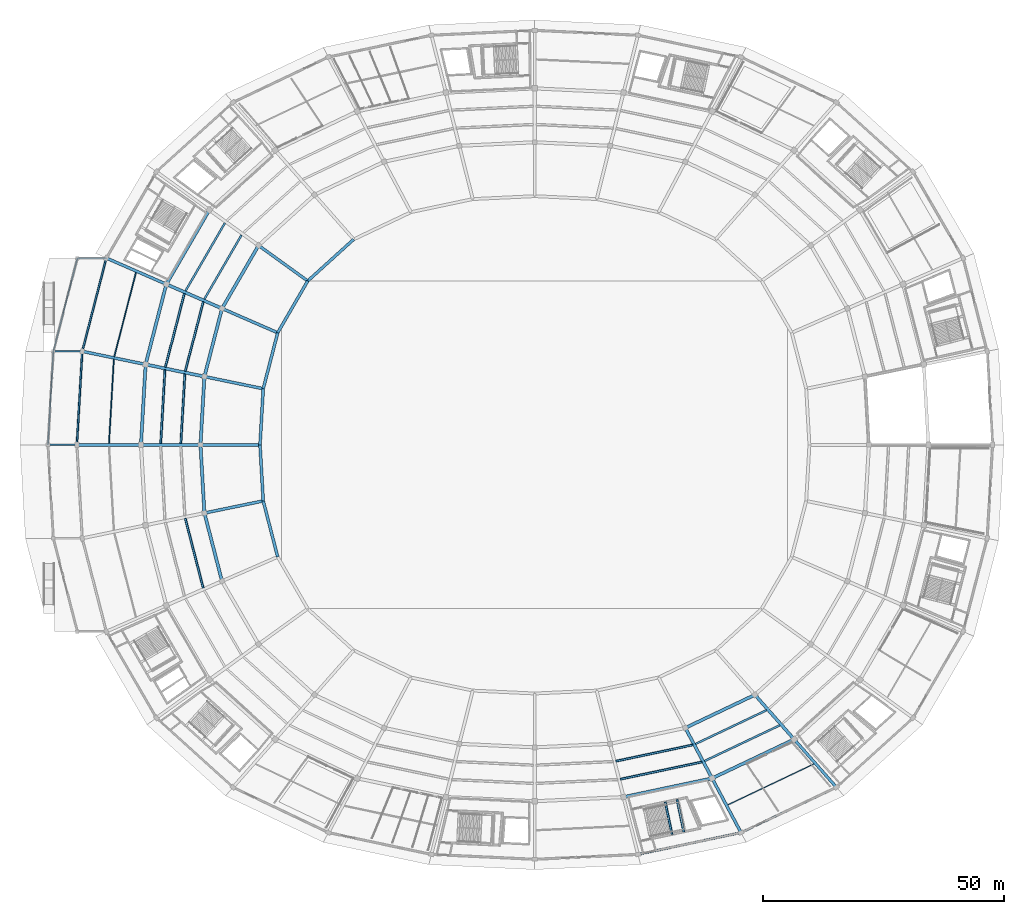
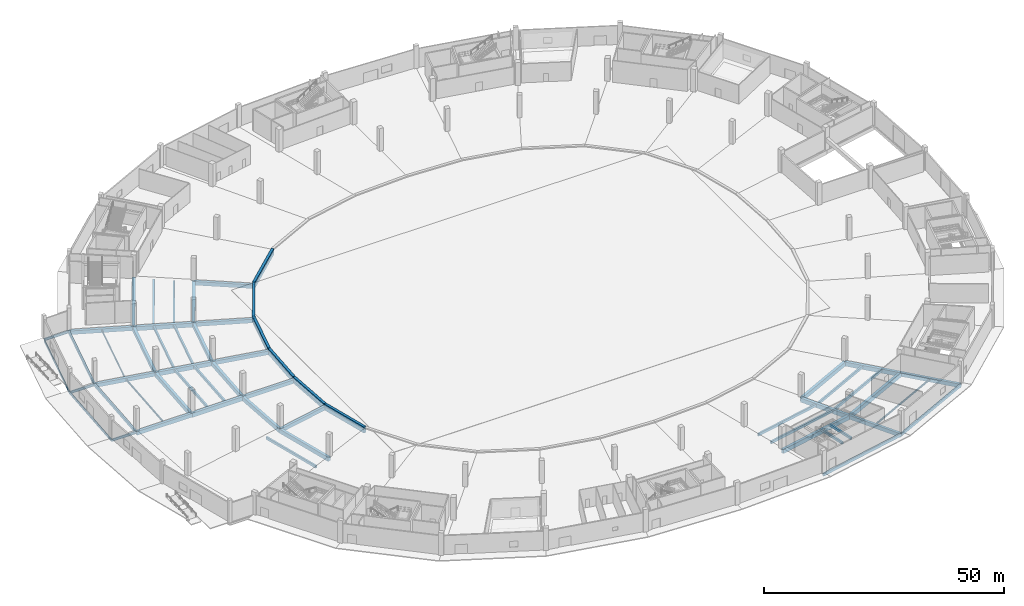
# One storey, part 3 of 48: 63 beams.
"""IFC4 building model written with IfcOpenShell, lengths in metres."""

import ifcopenshell
import ifcopenshell.guid

model = None  # the IFC model being written
_history = None  # IfcOwnerHistory: only IFC2X3 demands one
_inside = {}  # id of a spatial element -> (the spatial element, [elements in it])
_under = {}  # id of a project, library or spatial element -> (it, [spatial elements below it])
_declared = {}  # id of a project -> (the project, [libraries it declares])
_typed = {}  # id of a type object -> (the type object, [elements of that type])
_made_of = {}  # id of a material, layer set ... -> (it, [elements and type objects made of it])


def new_model(schema):
    """Start an empty IFC model of exactly this schema.

    Asked for "IFC4X3", IfcOpenShell would pick the latest addendum, in which some entities
    have other attributes; the version numbers below select the first issue.
    IFC2X3 requires an IfcOwnerHistory on every rooted entity: one is made here for all.
    """
    global model, _history
    if schema == "IFC4X3":
        model = ifcopenshell.file(schema_version=(4, 3, 0, 0))
    else:
        model = ifcopenshell.file(schema=schema)
    _inside.clear()
    _under.clear()
    _declared.clear()
    _typed.clear()
    _made_of.clear()
    _history = None
    if model.schema == "IFC2X3":
        org = make("IfcOrganization", Name="unknown")
        user = make(
            "IfcPersonAndOrganization",
            ThePerson=make("IfcPerson", FamilyName="unknown"),
            TheOrganization=org,
        )
        app = make(
            "IfcApplication",
            ApplicationDeveloper=org,
            Version="unknown",
            ApplicationFullName="unknown",
            ApplicationIdentifier="unknown",
        )
        _history = make(
            "IfcOwnerHistory",
            OwningUser=user,
            OwningApplication=app,
            ChangeAction="ADDED",
            CreationDate=0,
        )
    return model


def make(cls, **values):
    """One entity of the class cls with the attributes given. An attribute that is None is left unset."""
    return model.create_entity(
        cls, **{name: value for name, value in values.items() if value is not None}
    )


def rooted(cls, **values):
    """An entity with a GlobalId (a new one), such as an element, a storey or a relation."""
    return make(cls, GlobalId=ifcopenshell.guid.new(), OwnerHistory=_history, **values)


def si_unit(unit_type, name, prefix=None):
    """IfcSIUnit, for example si_unit("LENGTHUNIT", "METRE", prefix="MILLI")."""
    return make("IfcSIUnit", UnitType=unit_type, Prefix=prefix, Name=name)


def assignment(units):
    """IfcUnitAssignment: the units of a project."""
    return None if units is None else make("IfcUnitAssignment", Units=units)


def point(xyz):
    """IfcCartesianPoint."""
    return None if xyz is None else make("IfcCartesianPoint", Coordinates=xyz)


def direction(xyz):
    """IfcDirection."""
    return None if xyz is None else make("IfcDirection", DirectionRatios=xyz)


def frame(location, z_axis=None, x_axis=None):
    """IfcAxis2Placement3D, a coordinate frame: its origin and axes. An axis left out is left unset."""
    return make(
        "IfcAxis2Placement3D",
        Location=point(location),
        Axis=direction(z_axis),
        RefDirection=direction(x_axis),
    )


def frame_2d(location, x_axis=None):
    """IfcAxis2Placement2D, a coordinate frame in the plane: its origin and x axis."""
    return make(
        "IfcAxis2Placement2D", Location=point(location), RefDirection=direction(x_axis)
    )


def origin():
    """The frame at (0, 0, 0) with its axes left unset."""
    return frame((0.0, 0.0, 0.0))


def origin_2d():
    """The frame at (0, 0) in the plane with its x axis left unset."""
    return frame_2d((0.0, 0.0))


def place(relative_to, where):
    """IfcLocalPlacement: puts the frame where relative to a parent placement (None: the world)."""
    return make(
        "IfcLocalPlacement", PlacementRelTo=relative_to, RelativePlacement=where
    )


def context(
    kind, dimensions, precision=None, world=None, true_north=None, identifier=None
):
    """IfcGeometricRepresentationContext, for example the 3D "Model" context."""
    return make(
        "IfcGeometricRepresentationContext",
        ContextIdentifier=identifier,
        ContextType=kind,
        CoordinateSpaceDimension=dimensions,
        Precision=precision,
        WorldCoordinateSystem=world,
        TrueNorth=true_north,
    )


def subcontext(parent, identifier, kind, view, scale=None):
    """IfcGeometricRepresentationSubContext, for example "Body" below "Model"."""
    return make(
        "IfcGeometricRepresentationSubContext",
        ContextIdentifier=identifier,
        ContextType=kind,
        ParentContext=parent,
        TargetScale=scale,
        TargetView=view,
    )


def project(units=None, contexts=None):
    """IfcProject with its units and contexts."""
    return rooted(
        "IfcProject",
        Name="project",
        RepresentationContexts=contexts,
        UnitsInContext=assignment(units),
    )


def spatial(cls, under=None, at=None, **own):
    """A site, building, storey or space (cls), placed at a placement, below another one or the project."""
    s = rooted(cls, ObjectPlacement=at, **own)
    if under is not None:
        _under.setdefault(under.id(), (under, []))[1].append(s)
    return s


def profile(cls, at=None, kind="AREA", **sizes):
    """A parametric profile (cls). Its sizes go by their IFC names, for example OverallWidth=200.0."""
    return make(cls, ProfileType=kind, Position=at, **sizes)


def rectangle(**sizes):
    """IfcRectangleProfileDef."""
    return profile("IfcRectangleProfileDef", **sizes)


def i_section(**sizes):
    """IfcIShapeProfileDef."""
    return profile("IfcIShapeProfileDef", **sizes)


def extrude(swept, where, along, depth):
    """IfcExtrudedAreaSolid: the profile swept, set in the frame where, extruded along a direction by depth."""
    return make(
        "IfcExtrudedAreaSolid",
        SweptArea=swept,
        Position=where,
        ExtrudedDirection=direction(along),
        Depth=depth,
    )


def shape(context_of_items, identifier, shape_type, items):
    """IfcShapeRepresentation: the items that make up one representation, for example the "Body"."""
    return make(
        "IfcShapeRepresentation",
        ContextOfItems=context_of_items,
        RepresentationIdentifier=identifier,
        RepresentationType=shape_type,
        Items=items,
    )


def material(Name=None, Category=None):
    """IfcMaterial."""
    return make("IfcMaterial", Name=Name, Category=Category)


def material_profile(
    of_material, cross_section, Name=None, Category=None, Priority=None
):
    """IfcMaterialProfile: a cross section and its material."""
    return make(
        "IfcMaterialProfile",
        Name=Name,
        Material=of_material,
        Profile=cross_section,
        Priority=Priority,
        Category=Category,
    )


def profile_set(profiles, Name=None, composite=None):
    """IfcMaterialProfileSet."""
    return make(
        "IfcMaterialProfileSet",
        Name=Name,
        MaterialProfiles=profiles,
        CompositeProfile=composite,
    )


def made_of(thing, what):
    """Note that an element or type object is made of a material, layer set ...; save() writes the relation."""
    if what is not None:
        _made_of.setdefault(what.id(), (what, []))[1].append(thing)
    return thing


def type_object(cls, material=None, **own):
    """A type object (cls), such as IfcWallType, which elements share."""
    return made_of(rooted(cls, **own), material)


def element(
    cls,
    number,
    at=None,
    inside=None,
    cuts=None,
    type_object=None,
    material=None,
    context=None,
    identifier="Body",
    shape_type=None,
    held_by="IfcProductDefinitionShape",
    body=None,
    shapes=None,
    **own,
):
    """One element of the class cls, such as IfcWall. Its Tag is "e" and its number.

    at: its placement. inside: the storey or other place that contains it. cuts: it is an
    opening in that element (IfcRelVoidsElement). A single representation is given by context,
    identifier, shape_type and body (its items); several are given by shapes. held_by: the class
    of the entity that holds the representations. save() writes the other relations.
    """
    e = rooted(cls, Tag="e%d" % number, ObjectPlacement=at, **own)
    if body is not None:
        shapes = [shape(context, identifier, shape_type, body)]
    if shapes is not None:
        e.Representation = make(held_by, Representations=shapes)
    if inside is not None:
        _inside.setdefault(inside.id(), (inside, []))[1].append(e)
    if cuts is not None:
        rooted(
            "IfcRelVoidsElement", RelatingBuildingElement=cuts, RelatedOpeningElement=e
        )
    if type_object is not None:
        _typed.setdefault(type_object.id(), (type_object, []))[1].append(e)
    return made_of(e, material)


def aggregate(whole, parts):
    """IfcRelAggregates: a whole, such as a stair, and the parts it consists of."""
    return rooted("IfcRelAggregates", RelatingObject=whole, RelatedObjects=parts)


def save(model, path):
    """Write the relations noted so far, then the file.

    IfcRelAggregates (storeys below a building ...), IfcRelContainedInSpatialStructure (elements
    in a storey), IfcRelDefinesByType, IfcRelAssociatesMaterial and IfcRelDeclares: one each for
    every whole, place, type object, material and project.
    """
    for whole, parts in _under.values():
        aggregate(whole, parts)
    for where, things in _inside.values():
        rooted(
            "IfcRelContainedInSpatialStructure",
            RelatedElements=things,
            RelatingStructure=where,
        )
    for kind, things in _typed.values():
        rooted("IfcRelDefinesByType", RelatedObjects=things, RelatingType=kind)
    for what, things in _made_of.values():
        rooted("IfcRelAssociatesMaterial", RelatedObjects=things, RelatingMaterial=what)
    for by, libraries in _declared.values():
        rooted("IfcRelDeclares", RelatingContext=by, RelatedDefinitions=libraries)
    model.write(path)


model = new_model("IFC4")

# Units and contexts
model_context = context("Model", 3, precision=1e-05, world=origin(), true_north=direction((0.0, 1.0)))
body_context = subcontext(model_context, "Body", "Model", "MODEL_VIEW")
ifc_project = project(units=[si_unit("LENGTHUNIT", "METRE"), si_unit("AREAUNIT", "SQUARE_METRE"), si_unit("VOLUMEUNIT", "CUBIC_METRE"), si_unit("PLANEANGLEUNIT", "RADIAN"), si_unit("MASSUNIT", "GRAM", prefix="KILO")], contexts=[model_context])

# Site, building, storey
site_placement = place(None, origin())
site = spatial("IfcSite", under=ifc_project, at=site_placement, CompositionType="ELEMENT")
building_placement = place(site_placement, origin())
building = spatial("IfcBuilding", under=site, at=building_placement, Name="Kazemori Nagisa Stadium", CompositionType="ELEMENT")
storey_placement = place(building_placement, origin())
storey = spatial("IfcBuildingStorey", under=building, at=storey_placement, Name="L00", CompositionType="ELEMENT", Elevation=0.0)

# Beams
ifc_material_1 = material(Name="Steel SN490B", Category="steel")
ifc_material_profile_1 = material_profile(ifc_material_1, i_section(OverallWidth=0.300048828125, OverallDepth=0.587890625, WebThickness=0.011962890625, FlangeThickness=0.02001953125, FilletRadius=0.012939453125, at=origin_2d()), Name="H-588x300x12x20")
ifc_profile_set_1 = profile_set([ifc_material_profile_1], Name="Steel SN490B")
beam_type_1 = type_object("IfcBeamType", Name="Beam_BG-H588", PredefinedType="BEAM", material=ifc_profile_set_1)
for number, where, z_axis, x_axis, name in (
    (1, (34.114990234375, 140.74951171875, -0.593994140625), (-1.0, 0.0, 0.0), (0.0, -1.0, 0.0), "Boulevard radial girder BG-H588 L00 R4-13"),
    (2, (29.119140625, 121.397705078125, -0.593994140625), (-1.0, 0.0, 0.0), (0.0, -1.0, 0.0), "Boulevard radial girder BG-H588 L00 R4-14"),
    (3, (28.0, 102.0, -0.593994140625), (-1.0, 0.0, 0.0), (0.0, -1.0, 0.0), "Boulevard radial girder BG-H588 L00 R4-15"),
):
    element("IfcBeam", number, at=place(storey_placement, frame(where, z_axis=z_axis, x_axis=x_axis)), inside=storey, type_object=beam_type_1, Name=name, PredefinedType="BEAM", context=body_context, shape_type="SweptSolid", body=[
        extrude(i_section(OverallWidth=0.300048828125, OverallDepth=0.587890625, WebThickness=0.011962890625, FlangeThickness=0.02001953125, FilletRadius=0.012939453125, at=origin_2d()), origin(), (0.0, 0.0, 1.0), 6.0),
    ])
ifc_material_2 = material(Name="Concrete C40/50 (Fc42)", Category="concrete")
ifc_material_profile_2 = material_profile(ifc_material_2, rectangle(XDim=0.39990234375, YDim=0.60009765625, at=origin_2d()), Name="RC-BM-400x600")
ifc_profile_set_2 = profile_set([ifc_material_profile_2], Name="Concrete C40/50 (Fc42)")
beam_type_2 = type_object("IfcBeamType", Name="Beam_BG-LND400X600", PredefinedType="BEAM", material=ifc_profile_set_2)
beam_1_placement = place(storey_placement, frame((150.084716796875, 27.878173828125, 2.389892578125), z_axis=(0.20695595975, -0.978350259735, 0.0), x_axis=(0.978350259735, 0.20695595975, 0.0)))
element("IfcBeam", 4, at=beam_1_placement, inside=storey, type_object=beam_type_2, Name="Core stair mid-landing girder ST06-L00-1", PredefinedType="BEAM", context=body_context, shape_type="SweptSolid", body=[
    extrude(rectangle(XDim=0.39990234375, YDim=0.60009765625, at=origin_2d()), origin(), (0.0, 0.0, 1.0), 6.83154296875),
])
beam_2_placement = place(storey_placement, frame((152.530517578125, 28.3955078125, 2.389892578125), z_axis=(0.206963195966, -0.97834872899, 0.0), x_axis=(0.97834872899, 0.206963195966, 0.0)))
element("IfcBeam", 5, at=beam_2_placement, inside=storey, type_object=beam_type_2, Name="Core stair mid-landing girder ST06-L00-2", PredefinedType="BEAM", context=body_context, shape_type="SweptSolid", body=[
    extrude(rectangle(XDim=0.39990234375, YDim=0.60009765625, at=origin_2d()), origin(), (0.0, 0.0, 1.0), 6.831298828125),
])
ifc_material_profile_3 = material_profile(ifc_material_2, rectangle(XDim=0.60009765625, YDim=0.949951171875, at=origin_2d()), Name="RC-BM-600x950")
ifc_profile_set_3 = profile_set([ifc_material_profile_3], Name="Concrete C40/50 (Fc42)")
beam_type_3 = type_object("IfcBeamType", Name="Beam_BG-RC600X950", PredefinedType="BEAM", material=ifc_profile_set_3)
beam_3_placement = place(storey_placement, frame((85.441162109375, 144.635498046875, -0.77490234375), z_axis=(-0.741338850776, -0.67113091743, 0.0), x_axis=(0.67113091743, -0.741338850776, 0.0)))
element("IfcBeam", 6, at=beam_3_placement, inside=storey, type_object=beam_type_3, Name="Ring girder BG-RC600X950 L00 R0-11", PredefinedType="BEAM", context=body_context, shape_type="SweptSolid", body=[
    extrude(rectangle(XDim=0.60009765625, YDim=0.949951171875, at=origin_2d()), origin(), (0.0, 0.0, 1.0), 12.866455078125),
])
beam_4_placement = place(storey_placement, frame((75.90283203125, 136.00048828125, -0.77490234375), z_axis=(-0.501625475419, -0.865084898961, 0.0), x_axis=(0.865084898961, -0.501625475419, 0.0)))
element("IfcBeam", 7, at=beam_4_placement, inside=storey, type_object=beam_type_3, Name="Ring girder BG-RC600X950 L00 R0-12", PredefinedType="BEAM", context=body_context, shape_type="SweptSolid", body=[
    extrude(rectangle(XDim=0.60009765625, YDim=0.949951171875, at=origin_2d()), origin(), (0.0, 0.0, 1.0), 12.427490234375),
])
beam_5_placement = place(storey_placement, frame((69.6689453125, 125.249755859375, -0.77490234375), z_axis=(-0.249948828341, -0.968259047575, 0.0), x_axis=(0.968259047575, -0.249948828341, 0.0)))
element("IfcBeam", 8, at=beam_5_placement, inside=storey, type_object=beam_type_3, Name="Ring girder BG-RC600X950 L00 R0-13", PredefinedType="BEAM", context=body_context, shape_type="SweptSolid", body=[
    extrude(rectangle(XDim=0.60009765625, YDim=0.949951171875, at=origin_2d()), origin(), (0.0, 0.0, 1.0), 11.99169921875),
])
for number, where, z_axis, x_axis, name in (
    (9, (66.671630859375, 113.638671875, -0.77490234375), (-0.057610985188, -0.998339107912, 0.0), (0.998339107912, -0.057610985188, 0.0), "Ring girder BG-RC600X950 L00 R0-14"),
    (10, (66.0, 102.0, -0.77490234375), (0.057610985188, -0.998339107912, 0.0), (0.998339107912, 0.057610985188, 0.0), "Ring girder BG-RC600X950 L00 R0-15"),
):
    element("IfcBeam", number, at=place(storey_placement, frame(where, z_axis=z_axis, x_axis=x_axis)), inside=storey, type_object=beam_type_3, Name=name, PredefinedType="BEAM", context=body_context, shape_type="SweptSolid", body=[
        extrude(rectangle(XDim=0.60009765625, YDim=0.949951171875, at=origin_2d()), origin(), (0.0, 0.0, 1.0), 11.657958984375),
    ])
beam_6_placement = place(storey_placement, frame((66.671630859375, 90.361328125, -0.77490234375), z_axis=(0.249948828341, -0.968259047575, 0.0), x_axis=(0.968259047575, 0.249948828341, 0.0)))
element("IfcBeam", 11, at=beam_6_placement, inside=storey, type_object=beam_type_3, Name="Ring girder BG-RC600X950 L00 R0-16", PredefinedType="BEAM", context=body_context, shape_type="SweptSolid", body=[
    extrude(rectangle(XDim=0.60009765625, YDim=0.949951171875, at=origin_2d()), origin(), (0.0, 0.0, 1.0), 11.99169921875),
])
beam_7_placement = place(storey_placement, frame((75.90283203125, 136.00048828125, -0.77490234375), z_axis=(-0.810787144242, 0.58534110289, 0.0), x_axis=(-0.58534110289, -0.810787144242, 0.0)))
element("IfcBeam", 12, at=beam_7_placement, inside=storey, type_object=beam_type_3, Name="Radial girder BG-RC600X950 L00 R0-R1-12", PredefinedType="BEAM", context=body_context, shape_type="SweptSolid", body=[
    extrude(rectangle(XDim=0.60009765625, YDim=0.949951171875, at=origin_2d()), origin(), (0.0, 0.0, 1.0), 12.585693359375),
])
beam_8_placement = place(storey_placement, frame((69.6689453125, 125.249755859375, -0.77490234375), z_axis=(-0.916678864185, 0.399624648835, 0.0), x_axis=(-0.399624648835, -0.916678864185, 0.0)))
element("IfcBeam", 13, at=beam_8_placement, inside=storey, type_object=beam_type_3, Name="Radial girder BG-RC600X950 L00 R0-R1-13", PredefinedType="BEAM", context=body_context, shape_type="SweptSolid", body=[
    extrude(rectangle(XDim=0.60009765625, YDim=0.949951171875, at=origin_2d()), origin(), (0.0, 0.0, 1.0), 12.605224609375),
])
beam_9_placement = place(storey_placement, frame((66.671630859375, 113.638671875, -0.77490234375), z_axis=(-0.979313861938, 0.202347127025, 0.0), x_axis=(-0.202347127025, -0.979313861938, 0.0)))
element("IfcBeam", 14, at=beam_9_placement, inside=storey, type_object=beam_type_3, Name="Radial girder BG-RC600X950 L00 R0-R1-14", PredefinedType="BEAM", context=body_context, shape_type="SweptSolid", body=[
    extrude(rectangle(XDim=0.60009765625, YDim=0.949951171875, at=origin_2d()), origin(), (0.0, 0.0, 1.0), 12.46240234375),
])
beam_10_placement = place(storey_placement, frame((66.0, 102.0, -0.77490234375), z_axis=(-1.0, 0.0, 0.0), x_axis=(0.0, -1.0, 0.0)))
element("IfcBeam", 15, at=beam_10_placement, inside=storey, type_object=beam_type_3, Name="Radial girder BG-RC600X950 L00 R0-R1-15", PredefinedType="BEAM", context=body_context, shape_type="SweptSolid", body=[
    extrude(rectangle(XDim=0.60009765625, YDim=0.949951171875, at=origin_2d()), origin(), (0.0, 0.0, 1.0), 12.35009765625),
])
beam_11_placement = place(storey_placement, frame((66.671630859375, 90.361328125, -0.77490234375), z_axis=(-0.979313861938, -0.202347127025, 0.0), x_axis=(0.202347127025, -0.979313861938, 0.0)))
element("IfcBeam", 16, at=beam_11_placement, inside=storey, type_object=beam_type_3, Name="Radial girder BG-RC600X950 L00 R0-R1-16", PredefinedType="BEAM", context=body_context, shape_type="SweptSolid", body=[
    extrude(rectangle(XDim=0.60009765625, YDim=0.949951171875, at=origin_2d()), origin(), (0.0, 0.0, 1.0), 12.46240234375),
])
beam_12_placement = place(storey_placement, frame((46.55908203125, 135.32470703125, -0.77490234375), z_axis=(-0.916683633521, 0.399613708517, 0.0), x_axis=(-0.399613708517, -0.916683633521, 0.0)))
element("IfcBeam", 17, at=beam_12_placement, inside=storey, type_object=beam_type_3, Name="Radial girder BG-RC600X950 L00 R2-R3-13", PredefinedType="BEAM", context=body_context, shape_type="SweptSolid", body=[
    extrude(rectangle(XDim=0.60009765625, YDim=0.949951171875, at=origin_2d()), origin(), (0.0, 0.0, 1.0), 13.5751953125),
])
beam_13_placement = place(storey_placement, frame((42.262451171875, 118.68212890625, -0.77490234375), z_axis=(-0.979315516463, 0.202339119339, 0.0), x_axis=(-0.202339119339, -0.979315516463, 0.0)))
element("IfcBeam", 18, at=beam_13_placement, inside=storey, type_object=beam_type_3, Name="Radial girder BG-RC600X950 L00 R2-R3-14", PredefinedType="BEAM", context=body_context, shape_type="SweptSolid", body=[
    extrude(rectangle(XDim=0.60009765625, YDim=0.949951171875, at=origin_2d()), origin(), (0.0, 0.0, 1.0), 13.4208984375),
])
beam_14_placement = place(storey_placement, frame((41.300048828125, 102.0, -0.77490234375), z_axis=(-1.0, 0.0, 0.0), x_axis=(0.0, -1.0, 0.0)))
element("IfcBeam", 19, at=beam_14_placement, inside=storey, type_object=beam_type_3, Name="Radial girder BG-RC600X950 L00 R2-R3-15", PredefinedType="BEAM", context=body_context, shape_type="SweptSolid", body=[
    extrude(rectangle(XDim=0.60009765625, YDim=0.949951171875, at=origin_2d()), origin(), (0.0, 0.0, 1.0), 13.300048828125),
])
beam_15_placement = place(storey_placement, frame((159.81201171875, 32.80078125, -0.77490234375), z_axis=(0.469648511848, -0.882853484628, 0.0), x_axis=(0.882853484628, 0.469648511848, 0.0)))
element("IfcBeam", 20, at=beam_15_placement, inside=storey, type_object=beam_type_3, Name="Radial girder BG-RC600X950 L00 R2-R3-24", PredefinedType="BEAM", context=body_context, shape_type="SweptSolid", body=[
    extrude(rectangle(XDim=0.60009765625, YDim=0.949951171875, at=origin_2d()), origin(), (0.0, 0.0, 1.0), 12.760009765625),
])
beam_16_placement = place(storey_placement, frame((176.834228515625, 40.88916015625, -0.77490234375), z_axis=(0.661019680997, -0.750368563664, 0.0), x_axis=(0.750368563664, 0.661019680997, 0.0)))
element("IfcBeam", 21, at=beam_16_placement, inside=storey, type_object=beam_type_3, Name="Radial girder BG-RC600X950 L00 R2-R3-25", PredefinedType="BEAM", context=body_context, shape_type="SweptSolid", body=[
    extrude(rectangle(XDim=0.60009765625, YDim=0.949951171875, at=origin_2d()), origin(), (0.0, 0.0, 1.0), 13.2578125),
])
beam_17_placement = place(storey_placement, frame((85.441162109375, 144.635498046875, -0.199951171875), z_axis=(-0.741338850776, -0.67113091743, 0.0), x_axis=(0.67113091743, -0.741338850776, 0.0)))
element("IfcBeam", 22, at=beam_17_placement, inside=storey, type_object=beam_type_3, Name="Lower tier front ring beam 11", PredefinedType="BEAM", context=body_context, shape_type="SweptSolid", body=[
    extrude(rectangle(XDim=0.60009765625, YDim=0.949951171875, at=origin_2d()), origin(), (0.0, 0.0, 1.0), 12.866455078125),
])
beam_18_placement = place(storey_placement, frame((75.90283203125, 136.00048828125, -0.199951171875), z_axis=(-0.501625475419, -0.865084898961, 0.0), x_axis=(0.865084898961, -0.501625475419, 0.0)))
element("IfcBeam", 23, at=beam_18_placement, inside=storey, type_object=beam_type_3, Name="Lower tier front ring beam 12", PredefinedType="BEAM", context=body_context, shape_type="SweptSolid", body=[
    extrude(rectangle(XDim=0.60009765625, YDim=0.949951171875, at=origin_2d()), origin(), (0.0, 0.0, 1.0), 12.427490234375),
])
beam_19_placement = place(storey_placement, frame((69.6689453125, 125.249755859375, -0.199951171875), z_axis=(-0.249948828341, -0.968259047575, 0.0), x_axis=(0.968259047575, -0.249948828341, 0.0)))
element("IfcBeam", 24, at=beam_19_placement, inside=storey, type_object=beam_type_3, Name="Lower tier front ring beam 13", PredefinedType="BEAM", context=body_context, shape_type="SweptSolid", body=[
    extrude(rectangle(XDim=0.60009765625, YDim=0.949951171875, at=origin_2d()), origin(), (0.0, 0.0, 1.0), 11.99169921875),
])
for number, where, z_axis, x_axis, name in (
    (25, (66.671630859375, 113.638671875, -0.199951171875), (-0.057610985188, -0.998339107912, 0.0), (0.998339107912, -0.057610985188, 0.0), "Lower tier front ring beam 14"),
    (26, (66.0, 102.0, -0.199951171875), (0.057610985188, -0.998339107912, 0.0), (0.998339107912, 0.057610985188, 0.0), "Lower tier front ring beam 15"),
):
    element("IfcBeam", number, at=place(storey_placement, frame(where, z_axis=z_axis, x_axis=x_axis)), inside=storey, type_object=beam_type_3, Name=name, PredefinedType="BEAM", context=body_context, shape_type="SweptSolid", body=[
        extrude(rectangle(XDim=0.60009765625, YDim=0.949951171875, at=origin_2d()), origin(), (0.0, 0.0, 1.0), 11.657958984375),
    ])
beam_20_placement = place(storey_placement, frame((66.671630859375, 90.361328125, -0.199951171875), z_axis=(0.249948828341, -0.968259047575, 0.0), x_axis=(0.968259047575, 0.249948828341, 0.0)))
element("IfcBeam", 27, at=beam_20_placement, inside=storey, type_object=beam_type_3, Name="Lower tier front ring beam 16", PredefinedType="BEAM", context=body_context, shape_type="SweptSolid", body=[
    extrude(rectangle(XDim=0.60009765625, YDim=0.949951171875, at=origin_2d()), origin(), (0.0, 0.0, 1.0), 11.99169921875),
])
ifc_material_profile_4 = material_profile(ifc_material_2, rectangle(XDim=0.64990234375, YDim=1.050048828125, at=origin_2d()), Name="RC-BM-650x1050")
ifc_profile_set_4 = profile_set([ifc_material_profile_4], Name="Concrete C40/50 (Fc42)")
beam_type_4 = type_object("IfcBeamType", Name="Beam_BG-RC650X1050", PredefinedType="BEAM", material=ifc_profile_set_4)
beam_21_placement = place(storey_placement, frame((65.698486328125, 143.367431640625, -0.824951171875), z_axis=(-0.501613453924, -0.865091869597, 0.0), x_axis=(0.865091869597, -0.501613453924, 0.0)))
element("IfcBeam", 28, at=beam_21_placement, inside=storey, type_object=beam_type_4, Name="Ring girder BG-RC650X1050 L00 R1-12", PredefinedType="BEAM", context=body_context, shape_type="SweptSolid", body=[
    extrude(rectangle(XDim=0.64990234375, YDim=1.050048828125, at=origin_2d()), origin(), (0.0, 0.0, 1.0), 15.1201171875),
])
beam_22_placement = place(storey_placement, frame((58.114013671875, 130.287109375, -0.824951171875), z_axis=(-0.249966077383, -0.9682545947, 0.0), x_axis=(0.9682545947, -0.249966077383, 0.0)))
element("IfcBeam", 29, at=beam_22_placement, inside=storey, type_object=beam_type_4, Name="Ring girder BG-RC650X1050 L00 R1-13", PredefinedType="BEAM", context=body_context, shape_type="SweptSolid", body=[
    extrude(rectangle(XDim=0.64990234375, YDim=1.050048828125, at=origin_2d()), origin(), (0.0, 0.0, 1.0), 14.58984375),
])
for number, where, z_axis, x_axis, name in (
    (30, (54.467041015625, 116.160400390625, -0.824951171875), (-0.057610061423, -0.998339161219, 0.0), (0.998339161219, -0.057610061423, 0.0), "Ring girder BG-RC650X1050 L00 R1-14"),
    (31, (53.64990234375, 102.0, -0.824951171875), (0.057610061423, -0.998339161219, 0.0), (0.998339161219, 0.057610061423, 0.0), "Ring girder BG-RC650X1050 L00 R1-15"),
):
    element("IfcBeam", number, at=place(storey_placement, frame(where, z_axis=z_axis, x_axis=x_axis)), inside=storey, type_object=beam_type_4, Name=name, PredefinedType="BEAM", context=body_context, shape_type="SweptSolid", body=[
        extrude(rectangle(XDim=0.64990234375, YDim=1.050048828125, at=origin_2d()), origin(), (0.0, 0.0, 1.0), 14.183837890625),
    ])
beam_23_placement = place(storey_placement, frame((54.467041015625, 87.839599609375, -0.824951171875), z_axis=(0.249966077383, -0.9682545947, 0.0), x_axis=(0.9682545947, 0.249966077383, 0.0)))
element("IfcBeam", 32, at=beam_23_placement, inside=storey, type_object=beam_type_4, Name="Ring girder BG-RC650X1050 L00 R1-16", PredefinedType="BEAM", context=body_context, shape_type="SweptSolid", body=[
    extrude(rectangle(XDim=0.64990234375, YDim=1.050048828125, at=origin_2d()), origin(), (0.0, 0.0, 1.0), 14.58984375),
])
beam_24_placement = place(storey_placement, frame((154.24755859375, 43.260986328125, -0.824951171875), z_axis=(0.903211989129, 0.429194714196, 0.0), x_axis=(-0.429194714196, 0.903211989129, 0.0)))
element("IfcBeam", 33, at=beam_24_placement, inside=storey, type_object=beam_type_4, Name="Ring girder BG-RC650X1050 L00 R1-24", PredefinedType="BEAM", context=body_context, shape_type="SweptSolid", body=[
    extrude(rectangle(XDim=0.64990234375, YDim=1.050048828125, at=origin_2d()), origin(), (0.0, 0.0, 1.0), 15.997314453125),
])
beam_25_placement = place(storey_placement, frame((55.493896484375, 150.734130859375, -0.824951171875), z_axis=(-0.501606704589, -0.865095783085, 0.0), x_axis=(0.865095783085, -0.501606704589, 0.0)))
element("IfcBeam", 34, at=beam_25_placement, inside=storey, type_object=beam_type_4, Name="Ring girder BG-RC650X1050 L00 R2-12", PredefinedType="BEAM", context=body_context, shape_type="SweptSolid", body=[
    extrude(rectangle(XDim=0.64990234375, YDim=1.050048828125, at=origin_2d()), origin(), (0.0, 0.0, 1.0), 17.8125),
])
beam_26_placement = place(storey_placement, frame((46.55908203125, 135.32470703125, -0.824951171875), z_axis=(-0.249974673676, -0.968252375427, 0.0), x_axis=(0.968252375427, -0.249974673676, 0.0)))
element("IfcBeam", 35, at=beam_26_placement, inside=storey, type_object=beam_type_4, Name="Ring girder BG-RC650X1050 L00 R2-13", PredefinedType="BEAM", context=body_context, shape_type="SweptSolid", body=[
    extrude(rectangle(XDim=0.64990234375, YDim=1.050048828125, at=origin_2d()), origin(), (0.0, 0.0, 1.0), 17.188232421875),
])
beam_27_placement = place(storey_placement, frame((42.262451171875, 118.68212890625, -0.824951171875), z_axis=(-0.057594854854, -0.998340038611, 0.0), x_axis=(0.998340038611, -0.057594854854, 0.0)))
element("IfcBeam", 36, at=beam_27_placement, inside=storey, type_object=beam_type_4, Name="Ring girder BG-RC650X1050 L00 R2-14", PredefinedType="BEAM", context=body_context, shape_type="SweptSolid", body=[
    extrude(rectangle(XDim=0.64990234375, YDim=1.050048828125, at=origin_2d()), origin(), (0.0, 0.0, 1.0), 16.7099609375),
])
beam_28_placement = place(storey_placement, frame((141.427734375, 28.911376953125, -0.824951171875), z_axis=(0.978345149833, 0.206980114499, 0.0), x_axis=(-0.206980114499, 0.978345149833, 0.0)))
element("IfcBeam", 37, at=beam_28_placement, inside=storey, type_object=beam_type_4, Name="Ring girder BG-RC650X1050 L00 R2-23", PredefinedType="BEAM", context=body_context, shape_type="SweptSolid", body=[
    extrude(rectangle(XDim=0.64990234375, YDim=1.050048828125, at=origin_2d()), origin(), (0.0, 0.0, 1.0), 18.791259765625),
])
beam_29_placement = place(storey_placement, frame((159.81201171875, 32.80078125, -0.824951171875), z_axis=(0.90321938295, 0.42917915404, 0.0), x_axis=(-0.42917915404, 0.90321938295, 0.0)))
element("IfcBeam", 38, at=beam_29_placement, inside=storey, type_object=beam_type_4, Name="Ring girder BG-RC650X1050 L00 R2-24", PredefinedType="BEAM", context=body_context, shape_type="SweptSolid", body=[
    extrude(rectangle(XDim=0.64990234375, YDim=1.050048828125, at=origin_2d()), origin(), (0.0, 0.0, 1.0), 18.84619140625),
])
beam_30_placement = place(storey_placement, frame((58.114013671875, 130.287109375, -0.824951171875), z_axis=(-0.916671768981, 0.399640923771, 0.0), x_axis=(-0.399640923771, -0.916671768981, 0.0)))
element("IfcBeam", 39, at=beam_30_placement, inside=storey, type_object=beam_type_4, Name="Radial girder BG-RC650X1050 L00 R1-R2-13", PredefinedType="BEAM", context=body_context, shape_type="SweptSolid", body=[
    extrude(rectangle(XDim=0.64990234375, YDim=1.050048828125, at=origin_2d()), origin(), (0.0, 0.0, 1.0), 12.605224609375),
])
beam_31_placement = place(storey_placement, frame((54.467041015625, 116.160400390625, -0.824951171875), z_axis=(-0.979313861938, 0.202347127025, 0.0), x_axis=(-0.202347127025, -0.979313861938, 0.0)))
element("IfcBeam", 40, at=beam_31_placement, inside=storey, type_object=beam_type_4, Name="Radial girder BG-RC650X1050 L00 R1-R2-14", PredefinedType="BEAM", context=body_context, shape_type="SweptSolid", body=[
    extrude(rectangle(XDim=0.64990234375, YDim=1.050048828125, at=origin_2d()), origin(), (0.0, 0.0, 1.0), 12.46240234375),
])
beam_32_placement = place(storey_placement, frame((53.64990234375, 102.0, -0.824951171875), z_axis=(-1.0, 0.0, 0.0), x_axis=(0.0, -1.0, 0.0)))
element("IfcBeam", 41, at=beam_32_placement, inside=storey, type_object=beam_type_4, Name="Radial girder BG-RC650X1050 L00 R1-R2-15", PredefinedType="BEAM", context=body_context, shape_type="SweptSolid", body=[
    extrude(rectangle(XDim=0.64990234375, YDim=1.050048828125, at=origin_2d()), origin(), (0.0, 0.0, 1.0), 12.349853515625),
])
beam_33_placement = place(storey_placement, frame((154.24755859375, 43.260986328125, -0.824951171875), z_axis=(0.469646804203, -0.882854393036, 0.0), x_axis=(0.882854393036, 0.469646804203, 0.0)))
element("IfcBeam", 42, at=beam_33_placement, inside=storey, type_object=beam_type_4, Name="Radial girder BG-RC650X1050 L00 R1-R2-24", PredefinedType="BEAM", context=body_context, shape_type="SweptSolid", body=[
    extrude(rectangle(XDim=0.64990234375, YDim=1.050048828125, at=origin_2d()), origin(), (0.0, 0.0, 1.0), 11.84814453125),
])
beam_34_placement = place(storey_placement, frame((168.696533203125, 50.126953125, -0.824951171875), z_axis=(0.66101406015, -0.75037351518, 0.0), x_axis=(0.75037351518, 0.66101406015, 0.0)))
element("IfcBeam", 43, at=beam_34_placement, inside=storey, type_object=beam_type_4, Name="Radial girder BG-RC650X1050 L00 R1-R2-25", PredefinedType="BEAM", context=body_context, shape_type="SweptSolid", body=[
    extrude(rectangle(XDim=0.64990234375, YDim=1.050048828125, at=origin_2d()), origin(), (0.0, 0.0, 1.0), 12.31103515625),
])
ifc_material_profile_5 = material_profile(ifc_material_1, i_section(OverallWidth=0.199951171875, OverallDepth=0.449951171875, WebThickness=0.009033203125, FlangeThickness=0.013916015625, FilletRadius=0.012939453125, at=origin_2d()), Name="H-450x200x9x14")
ifc_profile_set_5 = profile_set([ifc_material_profile_5], Name="Steel SN490B")
beam_type_5 = type_object("IfcBeamType", Name="Beam_BJ-H450", PredefinedType="JOIST", material=ifc_profile_set_5)
beam_35_placement = place(storey_placement, frame((40.26318359375, 137.75146484375, -0.52490234375), z_axis=(-0.249955969604, -0.968257204083, 0.0), x_axis=(0.968257204083, -0.249955969604, 0.0)))
element("IfcBeam", 44, at=beam_35_placement, inside=storey, type_object=beam_type_5, Name="Outer bay joist BJ-H450 L00 B13", PredefinedType="JOIST", context=body_context, shape_type="SweptSolid", body=[
    extrude(i_section(OverallWidth=0.199951171875, OverallDepth=0.449951171875, WebThickness=0.009033203125, FlangeThickness=0.013916015625, FilletRadius=0.012939453125, at=origin_2d()), origin(), (0.0, 0.0, 1.0), 17.997314453125),
])
beam_36_placement = place(storey_placement, frame((35.673828125, 119.745361328125, -0.52490234375), z_axis=(-0.057599479831, -0.998339771783, 0.0), x_axis=(0.998339771783, -0.057599479831, 0.0)))
element("IfcBeam", 45, at=beam_36_placement, inside=storey, type_object=beam_type_5, Name="Outer bay joist BJ-H450 L00 B14", PredefinedType="JOIST", context=body_context, shape_type="SweptSolid", body=[
    extrude(i_section(OverallWidth=0.199951171875, OverallDepth=0.449951171875, WebThickness=0.009033203125, FlangeThickness=0.013916015625, FilletRadius=0.012939453125, at=origin_2d()), origin(), (0.0, 0.0, 1.0), 17.47998046875),
])
beam_37_placement = place(storey_placement, frame((163.074951171875, 27.294921875, -0.52490234375), z_axis=(0.903215938438, 0.429186403036, 0.0), x_axis=(-0.429186403036, 0.903215938438, 0.0)))
element("IfcBeam", 46, at=beam_37_placement, inside=storey, type_object=beam_type_5, Name="Outer bay joist BJ-H450 L00 B24", PredefinedType="JOIST", context=body_context, shape_type="SweptSolid", body=[
    extrude(i_section(OverallWidth=0.199951171875, OverallDepth=0.449951171875, WebThickness=0.009033203125, FlangeThickness=0.013916015625, FilletRadius=0.012939453125, at=origin_2d()), origin(), (0.0, 0.0, 1.0), 19.7900390625),
])
ifc_material_profile_6 = material_profile(ifc_material_2, rectangle(XDim=0.39990234375, YDim=0.64990234375, at=origin_2d()), Name="RC-BM-400x650")
ifc_profile_set_6 = profile_set([ifc_material_profile_6], Name="Concrete C40/50 (Fc42)")
beam_type_6 = type_object("IfcBeamType", Name="Beam_BJ-RC400X650", PredefinedType="JOIST", material=ifc_profile_set_6)
beam_38_placement = place(storey_placement, frame((62.175048828125, 145.548828125, -0.625), z_axis=(-0.501607199617, -0.865095496054, 0.0), x_axis=(0.865095496054, -0.501607199617, 0.0)))
element("IfcBeam", 47, at=beam_38_placement, inside=storey, type_object=beam_type_6, Name="Concourse joist BJ-RC400X650 L00 B12-1", PredefinedType="JOIST", context=body_context, shape_type="SweptSolid", body=[
    extrude(rectangle(XDim=0.39990234375, YDim=0.64990234375, at=origin_2d()), origin(), (0.0, 0.0, 1.0), 15.420654296875),
])
beam_39_placement = place(storey_placement, frame((58.72119140625, 148.042236328125, -0.625), z_axis=(-0.501604213872, -0.865097227268, 0.0), x_axis=(0.865097227268, -0.501604213872, 0.0)))
element("IfcBeam", 48, at=beam_39_placement, inside=storey, type_object=beam_type_6, Name="Concourse joist BJ-RC400X650 L00 B12-2", PredefinedType="JOIST", context=body_context, shape_type="SweptSolid", body=[
    extrude(rectangle(XDim=0.39990234375, YDim=0.64990234375, at=origin_2d()), origin(), (0.0, 0.0, 1.0), 16.331787109375),
])
beam_40_placement = place(storey_placement, frame((54.21826171875, 131.667724609375, -0.625), z_axis=(-0.24996646764, -0.968254493951, 0.0), x_axis=(0.968254493951, -0.24996646764, 0.0)))
element("IfcBeam", 49, at=beam_40_placement, inside=storey, type_object=beam_type_6, Name="Concourse joist BJ-RC400X650 L00 B13-1", PredefinedType="JOIST", context=body_context, shape_type="SweptSolid", body=[
    extrude(rectangle(XDim=0.39990234375, YDim=0.64990234375, at=origin_2d()), origin(), (0.0, 0.0, 1.0), 14.859375),
])
beam_41_placement = place(storey_placement, frame((50.307373046875, 133.372802734375, -0.625), z_axis=(-0.24997419154, -0.968252499901, 0.0), x_axis=(0.968252499901, -0.24997419154, 0.0)))
element("IfcBeam", 50, at=beam_41_placement, inside=storey, type_object=beam_type_6, Name="Concourse joist BJ-RC400X650 L00 B13-2", PredefinedType="JOIST", context=body_context, shape_type="SweptSolid", body=[
    extrude(rectangle(XDim=0.39990234375, YDim=0.64990234375, at=origin_2d()), origin(), (0.0, 0.0, 1.0), 15.739013671875),
])
beam_42_placement = place(storey_placement, frame((50.4130859375, 116.699951171875, -0.625), z_axis=(-0.057594265016, -0.998340072639, 0.0), x_axis=(0.998340072639, -0.057594265016, 0.0)))
element("IfcBeam", 51, at=beam_42_placement, inside=storey, type_object=beam_type_6, Name="Concourse joist BJ-RC400X650 L00 B14-1", PredefinedType="JOIST", context=body_context, shape_type="SweptSolid", body=[
    extrude(rectangle(XDim=0.39990234375, YDim=0.64990234375, at=origin_2d()), origin(), (0.0, 0.0, 1.0), 14.429443359375),
])
beam_43_placement = place(storey_placement, frame((46.282470703125, 117.553466796875, -0.625), z_axis=(-0.057599290514, -0.998339782705, 0.0), x_axis=(0.998339782705, -0.057599290514, 0.0)))
element("IfcBeam", 52, at=beam_43_placement, inside=storey, type_object=beam_type_6, Name="Concourse joist BJ-RC400X650 L00 B14-2", PredefinedType="JOIST", context=body_context, shape_type="SweptSolid", body=[
    extrude(rectangle(XDim=0.39990234375, YDim=0.64990234375, at=origin_2d()), origin(), (0.0, 0.0, 1.0), 15.284423828125),
])
beam_44_placement = place(storey_placement, frame((50.50390625, 86.719970703125, -0.625), z_axis=(0.24996646764, -0.968254493951, 0.0), x_axis=(0.968254493951, 0.24996646764, 0.0)))
element("IfcBeam", 53, at=beam_44_placement, inside=storey, type_object=beam_type_6, Name="Concourse joist BJ-RC400X650 L00 B16-1", PredefinedType="JOIST", context=body_context, shape_type="SweptSolid", body=[
    extrude(rectangle(XDim=0.39990234375, YDim=0.64990234375, at=origin_2d()), origin(), (0.0, 0.0, 1.0), 14.859375),
])
beam_45_placement = place(storey_placement, frame((139.852294921875, 36.3662109375, -0.625), z_axis=(0.978345737153, 0.206977338361, 0.0), x_axis=(-0.206977338361, 0.978345737153, 0.0)))
element("IfcBeam", 54, at=beam_45_placement, inside=storey, type_object=beam_type_6, Name="Concourse joist BJ-RC400X650 L00 B23-1", PredefinedType="JOIST", context=body_context, shape_type="SweptSolid", body=[
    extrude(rectangle(XDim=0.39990234375, YDim=0.64990234375, at=origin_2d()), origin(), (0.0, 0.0, 1.0), 16.30029296875),
])
beam_46_placement = place(storey_placement, frame((140.794921875, 32.626708984375, -0.625), z_axis=(0.97834325925, 0.206989050628, 0.0), x_axis=(-0.206989050628, 0.97834325925, 0.0)))
element("IfcBeam", 55, at=beam_46_placement, inside=storey, type_object=beam_type_6, Name="Concourse joist BJ-RC400X650 L00 B23-2", PredefinedType="JOIST", context=body_context, shape_type="SweptSolid", body=[
    extrude(rectangle(XDim=0.39990234375, YDim=0.64990234375, at=origin_2d()), origin(), (0.0, 0.0, 1.0), 17.26171875),
])
beam_47_placement = place(storey_placement, frame((156.3544921875, 39.927734375, -0.625), z_axis=(0.903215717065, 0.429186868912, 0.0), x_axis=(-0.429186868912, 0.903215717065, 0.0)))
element("IfcBeam", 56, at=beam_47_placement, inside=storey, type_object=beam_type_6, Name="Concourse joist BJ-RC400X650 L00 B24-1", PredefinedType="JOIST", context=body_context, shape_type="SweptSolid", body=[
    extrude(rectangle(XDim=0.39990234375, YDim=0.64990234375, at=origin_2d()), origin(), (0.0, 0.0, 1.0), 16.349609375),
])
beam_48_placement = place(storey_placement, frame((158.23779296875, 36.38720703125, -0.625), z_axis=(0.903215468459, 0.429187392099, 0.0), x_axis=(-0.429187392099, 0.903215468459, 0.0)))
element("IfcBeam", 57, at=beam_48_placement, inside=storey, type_object=beam_type_6, Name="Concourse joist BJ-RC400X650 L00 B24-2", PredefinedType="JOIST", context=body_context, shape_type="SweptSolid", body=[
    extrude(rectangle(XDim=0.39990234375, YDim=0.64990234375, at=origin_2d()), origin(), (0.0, 0.0, 1.0), 17.31396484375),
])
ifc_material_profile_7 = material_profile(ifc_material_1, i_section(OverallWidth=0.199951171875, OverallDepth=0.60009765625, WebThickness=0.010986328125, FlangeThickness=0.01708984375, FilletRadius=0.012939453125, at=origin_2d()), Name="H-600x200x11x17")
ifc_profile_set_7 = profile_set([ifc_material_profile_7], Name="Steel SN490B")
beam_type_7 = type_object("IfcBeamType", Name="Beam_BS-H600", PredefinedType="SPANDREL", material=ifc_profile_set_7)
beam_49_placement = place(storey_placement, frame((28.114990234375, 140.74951171875, -0.593994140625), z_axis=(-0.249964097999, -0.968255105699, 0.0), x_axis=(0.968255105699, -0.249964097999, 0.0)))
element("IfcBeam", 58, at=beam_49_placement, inside=storey, type_object=beam_type_7, Name="Boulevard edge beam BS-H600 L00 R4-13", PredefinedType="SPANDREL", context=body_context, shape_type="SweptSolid", body=[
    extrude(i_section(OverallWidth=0.199951171875, OverallDepth=0.60009765625, WebThickness=0.010986328125, FlangeThickness=0.01708984375, FilletRadius=0.012939453125, at=origin_2d()), origin(), (0.0, 0.0, 1.0), 19.986328125),
])
beam_50_placement = place(storey_placement, frame((23.119140625, 121.397705078125, -0.593994140625), z_axis=(-0.057598702622, -0.998339816624, 0.0), x_axis=(0.998339816624, -0.057598702622, 0.0)))
element("IfcBeam", 59, at=beam_50_placement, inside=storey, type_object=beam_type_7, Name="Boulevard edge beam BS-H600 L00 R4-14", PredefinedType="SPANDREL", context=body_context, shape_type="SweptSolid", body=[
    extrude(i_section(OverallWidth=0.199951171875, OverallDepth=0.60009765625, WebThickness=0.010986328125, FlangeThickness=0.01708984375, FilletRadius=0.012939453125, at=origin_2d()), origin(), (0.0, 0.0, 1.0), 19.429931640625),
])
ifc_material_profile_8 = material_profile(ifc_material_2, rectangle(XDim=0.35009765625, YDim=0.699951171875, at=origin_2d()), Name="RC-SP-350x700")
ifc_profile_set_8 = profile_set([ifc_material_profile_8], Name="Concrete C40/50 (Fc42)")
beam_type_8 = type_object("IfcBeamType", Name="Beam_BS-RC350X700", PredefinedType="SPANDREL", material=ifc_profile_set_8)
beam_51_placement = place(storey_placement, frame((34.114990234375, 140.74951171875, -0.64990234375), z_axis=(-0.249964097999, -0.968255105699, 0.0), x_axis=(0.968255105699, -0.249964097999, 0.0)))
element("IfcBeam", 60, at=beam_51_placement, inside=storey, type_object=beam_type_8, Name="Ring girder BS-RC350X700 L00 R3-13", PredefinedType="SPANDREL", context=body_context, shape_type="SweptSolid", body=[
    extrude(rectangle(XDim=0.35009765625, YDim=0.699951171875, at=origin_2d()), origin(), (0.0, 0.0, 1.0), 19.986328125),
])
beam_52_placement = place(storey_placement, frame((29.119140625, 121.397705078125, -0.64990234375), z_axis=(-0.057598702622, -0.998339816624, 0.0), x_axis=(0.998339816624, -0.057598702622, 0.0)))
element("IfcBeam", 61, at=beam_52_placement, inside=storey, type_object=beam_type_8, Name="Ring girder BS-RC350X700 L00 R3-14", PredefinedType="SPANDREL", context=body_context, shape_type="SweptSolid", body=[
    extrude(rectangle(XDim=0.35009765625, YDim=0.699951171875, at=origin_2d()), origin(), (0.0, 0.0, 1.0), 19.429931640625),
])
beam_53_placement = place(storey_placement, frame((144.427734375, 17.01318359375, -0.64990234375), z_axis=(0.97834587432, 0.206976689994, 0.0), x_axis=(-0.206976689994, 0.97834587432, 0.0)))
element("IfcBeam", 62, at=beam_53_placement, inside=storey, type_object=beam_type_8, Name="Ring girder BS-RC350X700 L00 R3-23", PredefinedType="SPANDREL", context=body_context, shape_type="SweptSolid", body=[
    extrude(rectangle(XDim=0.35009765625, YDim=0.699951171875, at=origin_2d()), origin(), (0.0, 0.0, 1.0), 21.85009765625),
])
beam_54_placement = place(storey_placement, frame((165.8046875, 21.53564453125, -0.64990234375), z_axis=(0.903215644095, 0.429187022475, 0.0), x_axis=(-0.429187022475, 0.903215644095, 0.0)))
element("IfcBeam", 63, at=beam_54_placement, inside=storey, type_object=beam_type_8, Name="Ring girder BS-RC350X700 L00 R3-24", PredefinedType="SPANDREL", context=body_context, shape_type="SweptSolid", body=[
    extrude(rectangle(XDim=0.35009765625, YDim=0.699951171875, at=origin_2d()), origin(), (0.0, 0.0, 1.0), 21.9140625),
])

save(model, "model.ifc")
